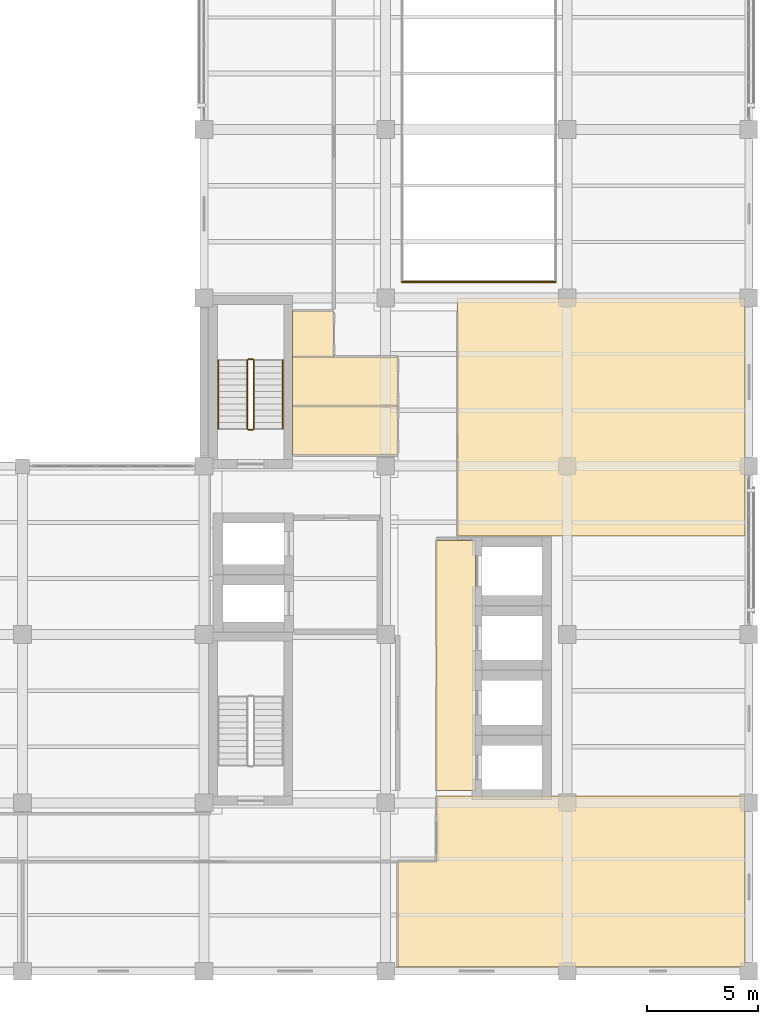
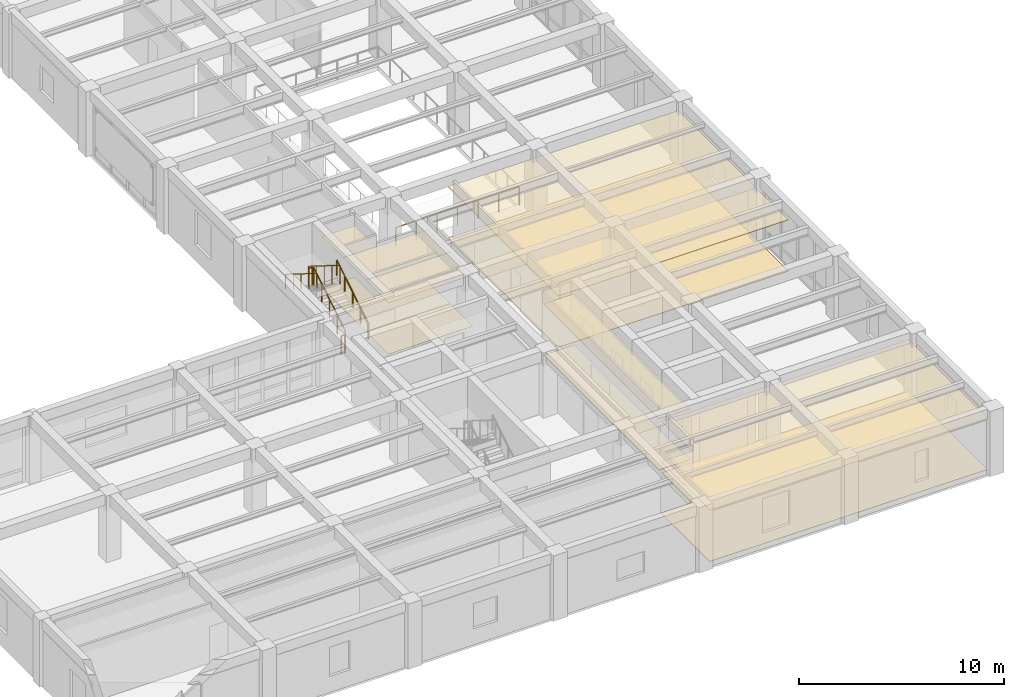
# One storey, part 14 of 15: 12 coverings, 7 railings.
"""IFC4 building model written with IfcOpenShell, lengths in metres."""

from ifc_helpers import new_model, si_unit, direction, frame, origin, origin_2d, place, context, subcontext, project, spatial, polyline, circle, outline, extrude, material, layer, layer_set, type_object, element, save


model = new_model("IFC4")

# Units and contexts
model_context = context("Model", 3, precision=1e-05, world=origin(), true_north=direction((0.0, 1.0)))
body_context = subcontext(model_context, "Body", "Model", "MODEL_VIEW")
ifc_project = project(units=[si_unit("LENGTHUNIT", "METRE"), si_unit("AREAUNIT", "SQUARE_METRE"), si_unit("VOLUMEUNIT", "CUBIC_METRE"), si_unit("PLANEANGLEUNIT", "RADIAN"), si_unit("MASSUNIT", "GRAM", prefix="KILO")], contexts=[model_context])

# Site, building, storey
site_placement = place(None, origin())
site = spatial("IfcSite", under=ifc_project, at=site_placement, CompositionType="ELEMENT")
building_placement = place(site_placement, origin())
building = spatial("IfcBuilding", under=site, at=building_placement, Name="Qandaris Square Conservatory and Botanical Centre", CompositionType="ELEMENT")
storey_placement = place(building_placement, frame((0.0, 0.0, 32.39990234375)))
storey = spatial("IfcBuildingStorey", under=building, at=storey_placement, Name="L07", CompositionType="ELEMENT", Elevation=32.39990234375)

# Coverings
ifc_material_1 = material(Name="Honed Qatari Limestone", Category="masonry")
ifc_layer_1 = layer(ifc_material_1, 0.030029296875)
ifc_layer_set_1 = layer_set([ifc_layer_1], Name="Honed Qatari Limestone")
covering_type_1 = type_object("IfcCoveringType", Name="Honed Qatari Limestone Concourse Paving", PredefinedType="FLOORING", material=ifc_layer_set_1)
covering_1_placement = place(storey_placement, origin())
element("IfcCovering", 1, at=covering_1_placement, inside=storey, type_object=covering_type_1, Name="Passenger Lift Lobby L07 Flooring", PredefinedType="FLOORING", context=body_context, shape_type="SweptSolid", body=[
    extrude(outline(polyline([(149.699951171875, 36.050048828125), (151.449951171875, 36.050048828125), (151.449951171875, 24.75), (149.699951171875, 24.75), (149.699951171875, 36.050048828125)])), origin(), (0.0, 0.0, 1.0), 0.030029296875),
])
covering_2_placement = place(storey_placement, origin())
element("IfcCovering", 2, at=covering_2_placement, inside=storey, type_object=covering_type_1, Name="Canopy Microclimate Write-Up Studio Flooring", PredefinedType="FLOORING", context=body_context, shape_type="SweptSolid", body=[
    extrude(outline(polyline([(150.64990234375, 44.340087890625), (150.64990234375, 46.419921875), (150.64990234375, 47.0), (163.6201171875, 47.0), (163.6201171875, 36.25), (150.64990234375, 36.25), (150.64990234375, 44.340087890625)])), origin(), (0.0, 0.0, 1.0), 0.030029296875),
])
ifc_material_2 = material(Name="Gypsum Plasterboard", Category="gypsum")
ifc_layer_2 = layer(ifc_material_2, 0.02490234375)
ifc_layer_set_2 = layer_set([ifc_layer_2], Name="Gypsum Plasterboard")
covering_type_2 = type_object("IfcCoveringType", Name="Perforated Acoustic Lab Ceiling Tile", PredefinedType="CEILING", material=ifc_layer_set_2)
covering_3_placement = place(storey_placement, frame((0.0, 0.0, 3.050048828125)))
element("IfcCovering", 3, at=covering_3_placement, inside=storey, type_object=covering_type_2, Name="Passenger Lift Lobby L07 Ceiling", PredefinedType="CEILING", context=body_context, shape_type="SweptSolid", body=[
    extrude(outline(polyline([(149.699951171875, 36.050048828125), (151.449951171875, 36.050048828125), (151.449951171875, 24.75), (149.699951171875, 24.75), (149.699951171875, 36.050048828125)])), origin(), (0.0, 0.0, 1.0), 0.025146484375),
])
covering_4_placement = place(storey_placement, frame((0.0, 0.0, 3.050048828125)))
element("IfcCovering", 4, at=covering_4_placement, inside=storey, type_object=covering_type_2, Name="Accessible Toilet L07 Ceiling", PredefinedType="CEILING", context=body_context, shape_type="SweptSolid", body=[
    extrude(outline(polyline([(147.949951171875, 42.1201171875), (147.949951171875, 39.89990234375), (143.199951171875, 39.89990234375), (143.199951171875, 42.1201171875), (147.949951171875, 42.1201171875)])), origin(), (0.0, 0.0, 1.0), 0.025146484375),
])
covering_5_placement = place(storey_placement, frame((0.0, 0.0, 3.050048828125)))
element("IfcCovering", 5, at=covering_5_placement, inside=storey, type_object=covering_type_2, Name="Staff Male Toilet L07 Ceiling", PredefinedType="CEILING", context=body_context, shape_type="SweptSolid", body=[
    extrude(outline(polyline([(147.949951171875, 44.340087890625), (147.949951171875, 42.1201171875), (143.199951171875, 42.1201171875), (143.199951171875, 44.340087890625), (147.949951171875, 44.340087890625)])), origin(), (0.0, 0.0, 1.0), 0.025146484375),
])
covering_6_placement = place(storey_placement, frame((0.0, 0.0, 3.050048828125)))
element("IfcCovering", 6, at=covering_6_placement, inside=storey, type_object=covering_type_2, Name="Staff Female Toilet L07 Ceiling", PredefinedType="CEILING", context=body_context, shape_type="SweptSolid", body=[
    extrude(outline(polyline([(145.050048828125, 46.419921875), (145.050048828125, 44.340087890625), (143.199951171875, 44.340087890625), (143.199951171875, 46.419921875), (145.050048828125, 46.419921875)])), origin(), (0.0, 0.0, 1.0), 0.025146484375),
])
covering_7_placement = place(storey_placement, frame((0.0, 0.0, 3.050048828125)))
element("IfcCovering", 7, at=covering_7_placement, inside=storey, type_object=covering_type_2, Name="Floor L07 Instrument and Balance Room Ceiling", PredefinedType="CEILING", context=body_context, shape_type="SweptSolid", body=[
    extrude(outline(polyline([(147.949951171875, 21.550048828125), (149.699951171875, 21.550048828125), (149.699951171875, 23.699951171875), (149.699951171875, 24.5), (163.6201171875, 24.5), (163.6201171875, 16.780029296875), (147.949951171875, 16.780029296875), (147.949951171875, 21.550048828125)])), origin(), (0.0, 0.0, 1.0), 0.025146484375),
])
ifc_material_3 = material(Name="Epoxy Resin Screed", Category="finish")
ifc_layer_3 = layer(ifc_material_3, 0.014892578125)
ifc_layer_set_3 = layer_set([ifc_layer_3], Name="Epoxy Resin Screed")
covering_type_3 = type_object("IfcCoveringType", Name="Seamless Epoxy Laboratory Flooring", PredefinedType="FLOORING", material=ifc_layer_set_3)
covering_8_placement = place(storey_placement, origin())
element("IfcCovering", 8, at=covering_8_placement, inside=storey, type_object=covering_type_3, Name="Accessible Toilet L07 Flooring", PredefinedType="FLOORING", context=body_context, shape_type="SweptSolid", body=[
    extrude(outline(polyline([(147.949951171875, 42.1201171875), (147.949951171875, 39.89990234375), (143.199951171875, 39.89990234375), (143.199951171875, 42.1201171875), (147.949951171875, 42.1201171875)])), origin(), (0.0, 0.0, 1.0), 0.01513671875),
])
covering_9_placement = place(storey_placement, origin())
element("IfcCovering", 9, at=covering_9_placement, inside=storey, type_object=covering_type_3, Name="Staff Male Toilet L07 Flooring", PredefinedType="FLOORING", context=body_context, shape_type="SweptSolid", body=[
    extrude(outline(polyline([(147.949951171875, 44.340087890625), (147.949951171875, 42.1201171875), (143.199951171875, 42.1201171875), (143.199951171875, 44.340087890625), (147.949951171875, 44.340087890625)])), origin(), (0.0, 0.0, 1.0), 0.01513671875),
])
covering_10_placement = place(storey_placement, origin())
element("IfcCovering", 10, at=covering_10_placement, inside=storey, type_object=covering_type_3, Name="Staff Female Toilet L07 Flooring", PredefinedType="FLOORING", context=body_context, shape_type="SweptSolid", body=[
    extrude(outline(polyline([(145.050048828125, 46.419921875), (145.050048828125, 44.340087890625), (143.199951171875, 44.340087890625), (143.199951171875, 46.419921875), (145.050048828125, 46.419921875)])), origin(), (0.0, 0.0, 1.0), 0.01513671875),
])
covering_11_placement = place(storey_placement, origin())
element("IfcCovering", 11, at=covering_11_placement, inside=storey, type_object=covering_type_3, Name="Floor L07 Instrument and Balance Room Flooring", PredefinedType="FLOORING", context=body_context, shape_type="SweptSolid", body=[
    extrude(outline(polyline([(147.949951171875, 21.550048828125), (149.699951171875, 21.550048828125), (149.699951171875, 23.699951171875), (149.699951171875, 24.5), (163.6201171875, 24.5), (163.6201171875, 16.780029296875), (147.949951171875, 16.780029296875), (147.949951171875, 21.550048828125)])), origin(), (0.0, 0.0, 1.0), 0.01513671875),
])
ifc_material_4 = material(Name="Engineered Oak Timber", Category="wood")
ifc_layer_4 = layer(ifc_material_4, 0.0400390625)
ifc_layer_set_4 = layer_set([ifc_layer_4], Name="Engineered Oak Timber")
covering_type_4 = type_object("IfcCoveringType", Name="Slatted Oak Acoustic Gallery Ceiling", PredefinedType="CEILING", material=ifc_layer_set_4)
covering_12_placement = place(storey_placement, frame((0.0, 0.0, 3.050048828125)))
element("IfcCovering", 12, at=covering_12_placement, inside=storey, type_object=covering_type_4, Name="Canopy Microclimate Write-Up Studio Ceiling", PredefinedType="CEILING", context=body_context, shape_type="SweptSolid", body=[
    extrude(outline(polyline([(150.64990234375, 44.340087890625), (150.64990234375, 46.419921875), (150.64990234375, 47.0), (163.6201171875, 47.0), (163.6201171875, 36.25), (150.64990234375, 36.25), (150.64990234375, 44.340087890625)])), origin(), (0.0, 0.0, 1.0), 0.0400390625),
])

# Railings
ifc_material_5 = material(Name="Stainless Steel", Category="steel")
railing_type_1 = type_object("IfcRailingType", Name="Stair Tubular Handrail 920mm", PredefinedType="HANDRAIL", material=ifc_material_5)
railing_1_placement = place(storey_placement, frame((142.75, 41.10009765625, 0.35009765625)))
element("IfcRailing", 13, at=railing_1_placement, inside=storey, type_object=railing_type_1, Name="L07 ST-2 stair handrail 1", PredefinedType="HANDRAIL", context=body_context, shape_type="SweptSolid", body=[
    extrude(circle(Radius=0.02392578125, at=origin_2d()), frame((0.0, 0.0, 0.89599609375), z_axis=(0.0, 0.847979421464, 0.530029150871), x_axis=(-1.0, 0.0, 0.0)), (0.0, 0.0, 1.0), 3.632080078125),
    extrude(circle(Radius=0.02099609375, at=origin_2d()), origin(), (0.0, 0.0, 1.0), 0.871826171875),
    extrude(circle(Radius=0.02099609375, at=origin_2d()), frame((0.0, 0.77001953125, 0.481201171875)), (0.0, 0.0, 1.0), 0.871826171875),
    extrude(circle(Radius=0.02099609375, at=origin_2d()), frame((0.0, 1.5400390625, 0.96240234375)), (0.0, 0.0, 1.0), 0.871826171875),
    extrude(circle(Radius=0.02099609375, at=origin_2d()), frame((0.0, 2.309814453125, 1.44384765625)), (0.0, 0.0, 1.0), 0.871826171875),
    extrude(circle(Radius=0.02099609375, at=origin_2d()), frame((0.0, 3.079833984375, 1.925048828125)), (0.0, 0.0, 1.0), 0.871826171875),
])
railing_2_placement = place(storey_placement, frame((139.85009765625, 44.179931640625, 2.4501953125)))
element("IfcRailing", 14, at=railing_2_placement, inside=storey, type_object=railing_type_1, Name="L07 ST-2 stair handrail 2", PredefinedType="HANDRAIL", context=body_context, shape_type="SweptSolid", body=[
    extrude(circle(Radius=0.02392578125, at=origin_2d()), frame((0.0, 0.0, 0.89599609375), z_axis=(0.0, -0.848009633417, 0.529980812513), x_axis=(1.0, 0.0, 0.0)), (0.0, 0.0, 1.0), 3.6318359375),
    extrude(circle(Radius=0.02099609375, at=origin_2d()), origin(), (0.0, 0.0, 1.0), 0.871826171875),
    extrude(circle(Radius=0.02099609375, at=origin_2d()), frame((0.0, -0.77001953125, 0.481201171875)), (0.0, 0.0, 1.0), 0.871826171875),
    extrude(circle(Radius=0.02099609375, at=origin_2d()), frame((0.0, -1.5400390625, 0.96240234375)), (0.0, 0.0, 1.0), 0.871826171875),
    extrude(circle(Radius=0.02099609375, at=origin_2d()), frame((0.0, -2.309814453125, 1.443603515625)), (0.0, 0.0, 1.0), 0.871826171875),
    extrude(circle(Radius=0.02099609375, at=origin_2d()), frame((0.0, -3.079833984375, 1.9248046875)), (0.0, 0.0, 1.0), 0.871826171875),
])
railing_type_2 = type_object("IfcRailingType", Name="Stairwell & Atrium Guardrail 1120mm", PredefinedType="GUARDRAIL", material=ifc_material_5)
railing_3_placement = place(storey_placement, frame((141.449951171875, 41.10009765625, 0.175048828125)))
element("IfcRailing", 15, at=railing_3_placement, inside=storey, type_object=railing_type_2, Name="L07 ST-2 stair guard 1", PredefinedType="GUARDRAIL", context=body_context, shape_type="SweptSolid", body=[
    extrude(circle(Radius=0.02392578125, at=origin_2d()), frame((0.0, 0.0, 1.09619140625), z_axis=(0.0, 0.847979421464, 0.530029150871), x_axis=(-1.0, 0.0, 0.0)), (0.0, 0.0, 1.0), 3.632080078125),
    extrude(circle(Radius=0.02099609375, at=origin_2d()), origin(), (0.0, 0.0, 1.0), 1.072021484375),
    extrude(circle(Radius=0.02099609375, at=origin_2d()), frame((0.0, 0.77001953125, 0.481201171875)), (0.0, 0.0, 1.0), 1.072021484375),
    extrude(circle(Radius=0.02099609375, at=origin_2d()), frame((0.0, 1.5400390625, 0.96240234375)), (0.0, 0.0, 1.0), 1.072021484375),
    extrude(circle(Radius=0.02099609375, at=origin_2d()), frame((0.0, 2.309814453125, 1.44384765625)), (0.0, 0.0, 1.0), 1.072021484375),
    extrude(circle(Radius=0.02099609375, at=origin_2d()), frame((0.0, 3.079833984375, 1.925048828125)), (0.0, 0.0, 1.0), 1.072021484375),
])
railing_4_placement = place(storey_placement, frame((141.39990234375, 44.22998046875, 2.10009765625)))
element("IfcRailing", 16, at=railing_4_placement, inside=storey, type_object=railing_type_2, Name="L07 ST-2 stair guard 2", PredefinedType="GUARDRAIL", context=body_context, shape_type="SweptSolid", body=[
    extrude(circle(Radius=0.02392578125, at=origin_2d()), frame((0.0, 0.0, 1.09619140625), z_axis=(-1.0, 0.0, 0.0), x_axis=(0.0, -1.0, 0.0)), (0.0, 0.0, 1.0), 0.199951171875),
    extrude(circle(Radius=0.02099609375, at=origin_2d()), origin(), (0.0, 0.0, 1.0), 1.072021484375),
    extrude(circle(Radius=0.02099609375, at=origin_2d()), frame((-0.199951171875, 0.0, 0.0)), (0.0, 0.0, 1.0), 1.072021484375),
])
railing_5_placement = place(storey_placement, frame((141.14990234375, 44.179931640625, 2.275146484375)))
element("IfcRailing", 17, at=railing_5_placement, inside=storey, type_object=railing_type_2, Name="L07 ST-2 stair guard 3", PredefinedType="GUARDRAIL", context=body_context, shape_type="SweptSolid", body=[
    extrude(circle(Radius=0.02392578125, at=origin_2d()), frame((0.0, 0.0, 1.09619140625), z_axis=(0.0, -0.847979421464, 0.530029150871), x_axis=(1.0, 0.0, 0.0)), (0.0, 0.0, 1.0), 3.632080078125),
    extrude(circle(Radius=0.02099609375, at=origin_2d()), origin(), (0.0, 0.0, 1.0), 1.072021484375),
    extrude(circle(Radius=0.02099609375, at=origin_2d()), frame((0.0, -0.77001953125, 0.481201171875)), (0.0, 0.0, 1.0), 1.072021484375),
    extrude(circle(Radius=0.02099609375, at=origin_2d()), frame((0.0, -1.5400390625, 0.96240234375)), (0.0, 0.0, 1.0), 1.072021484375),
    extrude(circle(Radius=0.02099609375, at=origin_2d()), frame((0.0, -2.309814453125, 1.44384765625)), (0.0, 0.0, 1.0), 1.072021484375),
    extrude(circle(Radius=0.02099609375, at=origin_2d()), frame((0.0, -3.079833984375, 1.925048828125)), (0.0, 0.0, 1.0), 1.072021484375),
])
railing_6_placement = place(storey_placement, frame((141.39990234375, 41.050048828125, 0.0)))
element("IfcRailing", 18, at=railing_6_placement, inside=storey, type_object=railing_type_2, Name="L07 ST-2 stair guard 4", PredefinedType="GUARDRAIL", context=body_context, shape_type="SweptSolid", body=[
    extrude(circle(Radius=0.02392578125, at=origin_2d()), frame((0.0, 0.0, 1.09619140625), z_axis=(-1.0, 0.0, 0.0), x_axis=(0.0, -1.0, 0.0)), (0.0, 0.0, 1.0), 0.199951171875),
    extrude(circle(Radius=0.02099609375, at=origin_2d()), origin(), (0.0, 0.0, 1.0), 1.072021484375),
    extrude(circle(Radius=0.02099609375, at=origin_2d()), frame((-0.199951171875, 0.0, 0.0)), (0.0, 0.0, 1.0), 1.072021484375),
])
railing_7_placement = place(storey_placement, frame((148.1201171875, 47.719970703125, 0.0)))
element("IfcRailing", 19, at=railing_7_placement, inside=storey, type_object=railing_type_2, Name="Atrium Void Guardrail TWR-L07-1", PredefinedType="GUARDRAIL", context=body_context, shape_type="SweptSolid", body=[
    extrude(circle(Radius=0.02392578125, at=origin_2d()), frame((0.0, 0.0, 1.09619140625), z_axis=(1.0, 0.0, 0.0), x_axis=(0.0, 1.0, 0.0)), (0.0, 0.0, 1.0), 6.9599609375),
    extrude(circle(Radius=0.02099609375, at=origin_2d()), origin(), (0.0, 0.0, 1.0), 1.072021484375),
    extrude(circle(Radius=0.02099609375, at=origin_2d()), frame((1.159912109375, 0.0, 0.0)), (0.0, 0.0, 1.0), 1.072021484375),
    extrude(circle(Radius=0.02099609375, at=origin_2d()), frame((2.320068359375, 0.0, 0.0)), (0.0, 0.0, 1.0), 1.072021484375),
    extrude(circle(Radius=0.02099609375, at=origin_2d()), frame((3.47998046875, 0.0, 0.0)), (0.0, 0.0, 1.0), 1.072021484375),
    extrude(circle(Radius=0.02099609375, at=origin_2d()), frame((4.639892578125, 0.0, 0.0)), (0.0, 0.0, 1.0), 1.072021484375),
    extrude(circle(Radius=0.02099609375, at=origin_2d()), frame((5.800048828125, 0.0, 0.0)), (0.0, 0.0, 1.0), 1.072021484375),
    extrude(circle(Radius=0.02099609375, at=origin_2d()), frame((6.9599609375, 0.0, 0.0)), (0.0, 0.0, 1.0), 1.072021484375),
])

save(model, "model.ifc")
